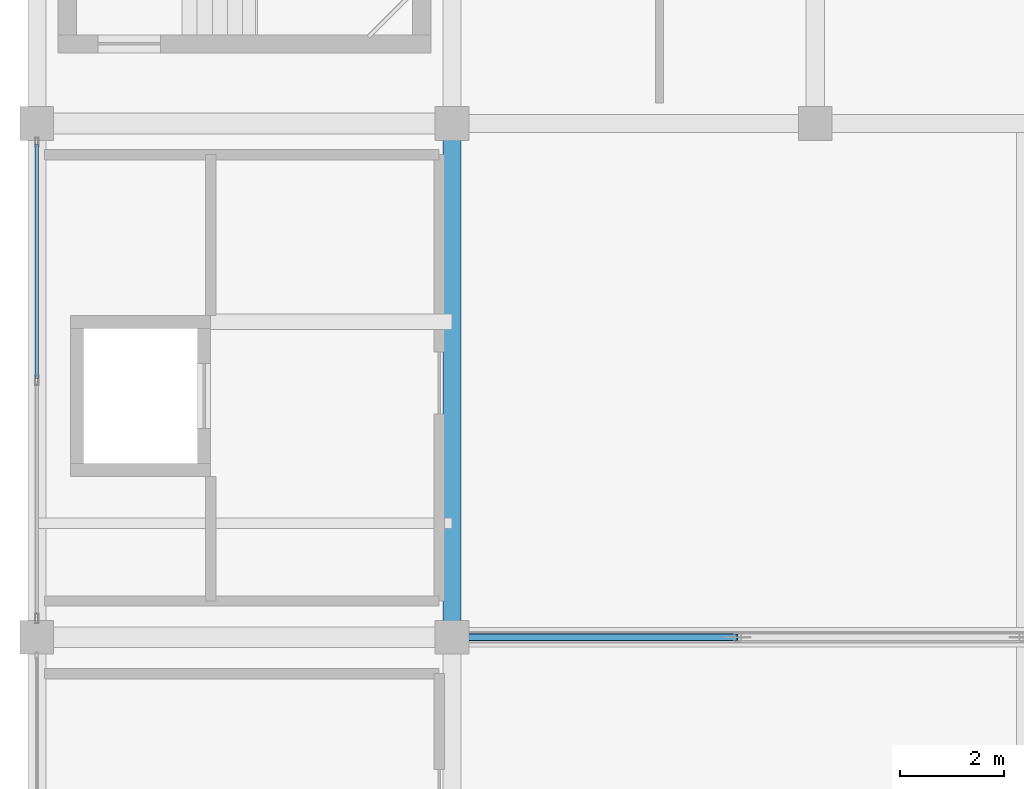
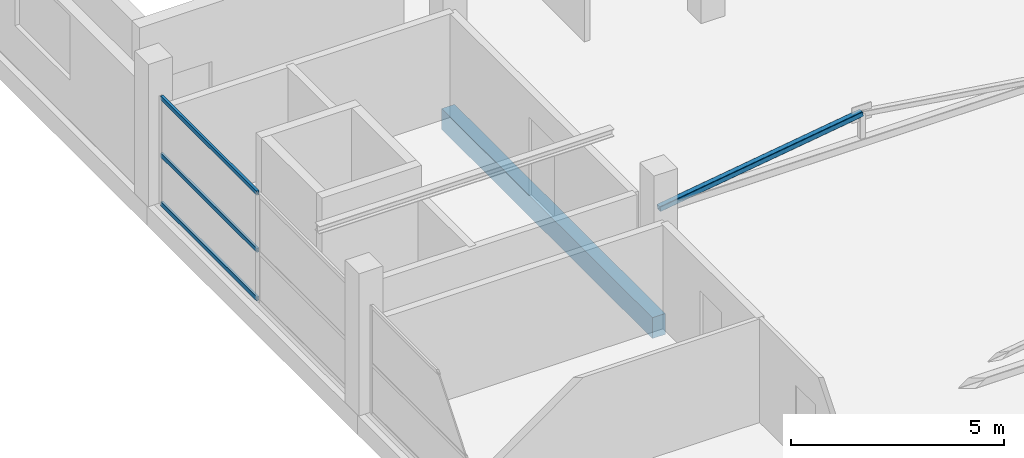
# One storey, part 29 of 66: 4 members, 1 beam, 1 element without a shape of its own.
"""IFC4 building model written with IfcOpenShell, lengths in metres."""

from ifc_helpers import new_model, si_unit, direction, frame, origin, origin_2d, place, context, subcontext, project, spatial, rectangle, hollow_rectangle, extrude, material, layer, layer_set, material_profile, profile_set, type_object, element, aggregate, save


model = new_model("IFC4")

# Units and contexts
model_context = context("Model", 3, precision=1e-05, world=origin(), true_north=direction((0.0, 1.0)))
body_context = subcontext(model_context, "Body", "Model", "MODEL_VIEW")
ifc_project = project(units=[si_unit("LENGTHUNIT", "METRE"), si_unit("AREAUNIT", "SQUARE_METRE"), si_unit("VOLUMEUNIT", "CUBIC_METRE"), si_unit("PLANEANGLEUNIT", "RADIAN"), si_unit("MASSUNIT", "GRAM", prefix="KILO")], contexts=[model_context])

# Site, building, storey
site_placement = place(None, origin())
site = spatial("IfcSite", under=ifc_project, at=site_placement, CompositionType="ELEMENT")
building_placement = place(site_placement, origin())
building = spatial("IfcBuilding", under=site, at=building_placement, Name="Sillaruma Civic Art Gallery", CompositionType="ELEMENT")
storey_placement = place(building_placement, frame((0.0, 0.0, 62.219970703125)))
storey = spatial("IfcBuildingStorey", under=building, at=storey_placement, Name="L12", CompositionType="ELEMENT", Elevation=62.219970703125)

# Beam
ifc_material_1 = material(Name="Concrete H35 (35 MPa)", Category="concrete")
ifc_material_profile_1 = material_profile(ifc_material_1, rectangle(XDim=0.35009765625, YDim=0.60009765625, at=origin_2d()), Name="RCB350x600")
ifc_profile_set_1 = profile_set([ifc_material_profile_1], Name="Concrete H35 (35 MPa)")
beam_type = type_object("IfcBeamType", Name="BM-BEAM-RCB350x600", PredefinedType="BEAM", material=ifc_profile_set_1)
beam_placement = place(storey_placement, frame((70.0, 69.300048828125, -0.530029296875), z_axis=(0.0, 1.0, 0.0), x_axis=(-1.0, 0.0, 0.0)))
element("IfcBeam", 1, at=beam_placement, inside=storey, type_object=beam_type, Name="Beam BM-06 (L11:G:8-9)", PredefinedType="BEAM", context=body_context, shape_type="SweptSolid", body=[
    extrude(rectangle(XDim=0.35009765625, YDim=0.60009765625, at=origin_2d()), origin(), (0.0, 0.0, 1.0), 9.89990234375),
])

# Member
ifc_material_2 = material(Name="Structural Steel ASTM A500 Gr.C", Category="steel")
ifc_material_profile_2 = material_profile(ifc_material_2, hollow_rectangle(XDim=0.14990234375, YDim=0.14990234375, WallThickness=0.010009765625, InnerFilletRadius=0.010009765625, OuterFilletRadius=0.02001953125, at=origin_2d()), Name="HSS150x150x10")
ifc_profile_set_2 = profile_set([ifc_material_profile_2], Name="Structural Steel ASTM A500 Gr.C")
member_type_1 = type_object("IfcMemberType", Name="MEM-BRACE-HSS150x150x10", PredefinedType="BRACE", material=ifc_profile_set_2)
member_1_placement = place(storey_placement, frame((70.0, 69.300048828125, 2.860107421875), z_axis=(0.989384036218, 0.0, 0.145324563914), x_axis=(0.0, 1.0, 0.0)))
element("IfcMember", 2, at=member_1_placement, inside=storey, type_object=member_type_1, Name="Warren Truss Diagonal TR-L12-3-D1", PredefinedType="BRACE", context=body_context, shape_type="SweptSolid", body=[
    extrude(hollow_rectangle(XDim=0.14990234375, YDim=0.14990234375, WallThickness=0.010009765625, InnerFilletRadius=0.010009765625, OuterFilletRadius=0.02001953125, at=origin_2d()), origin(), (0.0, 0.0, 1.0), 5.55908203125),
])

# Curtain wall, members
ifc_material_3 = material(Name="Thermally Broken Extruded Aluminium 6063-T6", Category="aluminium")
ifc_layer = layer(ifc_material_3, 0.179931640625, Name="Thermally Broken Extruded Aluminium 6063-T6")
ifc_layer_set = layer_set([ifc_layer], Name="Thermally Broken Extruded Aluminium 6063-T6")
curtain_wall_type = type_object("IfcCurtainWallType", Name="CW-UNI-92", PredefinedType="NOTDEFINED", material=ifc_layer_set)
curtain_wall_placement = place(storey_placement, origin())
curtain_wall = element("IfcCurtainWall", 3, at=curtain_wall_placement, inside=storey, type_object=curtain_wall_type, Name="Unitised Curtain Wall CW-92 (CW-L12-WBW-6)", PredefinedType="NOTDEFINED")
ifc_material_profile_3 = material_profile(ifc_material_3, hollow_rectangle(XDim=0.06494140625, YDim=0.1201171875, WallThickness=0.00341796875, at=origin_2d()), Name="CWT65x120")
ifc_profile_set_3 = profile_set([ifc_material_profile_3], Name="Thermally Broken Extruded Aluminium 6063-T6")
member_type_2 = type_object("IfcMemberType", Name="MEM-TRN-CWT65x120", PredefinedType="USERDEFINED", material=ifc_profile_set_3)
member_2_placement = place(storey_placement, frame((62.0, 74.284912109375, 0.032470703125), z_axis=(0.0, 1.0, 0.0), x_axis=(-1.0, 0.0, 0.0)))
member_2 = element("IfcMember", 4, at=member_2_placement, type_object=member_type_2, Name="CW-92 transom 2.1", ObjectType="TRANSOM", PredefinedType="USERDEFINED", context=body_context, shape_type="SweptSolid", body=[
    extrude(hollow_rectangle(XDim=0.06494140625, YDim=0.1201171875, WallThickness=0.00341796875, at=origin_2d()), origin(), (0.0, 0.0, 1.0), 4.52001953125),
])
member_3_placement = place(storey_placement, frame((62.0, 74.284912109375, 1.426025390625), z_axis=(0.0, 1.0, 0.0), x_axis=(-1.0, 0.0, 0.0)))
member_3 = element("IfcMember", 5, at=member_3_placement, type_object=member_type_2, Name="CW-92 transom 2.2", ObjectType="TRANSOM", PredefinedType="USERDEFINED", context=body_context, shape_type="SweptSolid", body=[
    extrude(hollow_rectangle(XDim=0.06494140625, YDim=0.1201171875, WallThickness=0.00341796875, at=origin_2d()), origin(), (0.0, 0.0, 1.0), 4.52001953125),
])
member_4_placement = place(storey_placement, frame((62.0, 74.284912109375, 3.067626953125), z_axis=(0.0, 1.0, 0.0), x_axis=(-1.0, 0.0, 0.0)))
member_4 = element("IfcMember", 6, at=member_4_placement, type_object=member_type_2, Name="CW-92 transom 2.3", ObjectType="TRANSOM", PredefinedType="USERDEFINED", context=body_context, shape_type="SweptSolid", body=[
    extrude(hollow_rectangle(XDim=0.06494140625, YDim=0.1201171875, WallThickness=0.00341796875, at=origin_2d()), origin(), (0.0, 0.0, 1.0), 4.52001953125),
])
aggregate(curtain_wall, [member_2, member_3, member_4])

save(model, "model.ifc")
